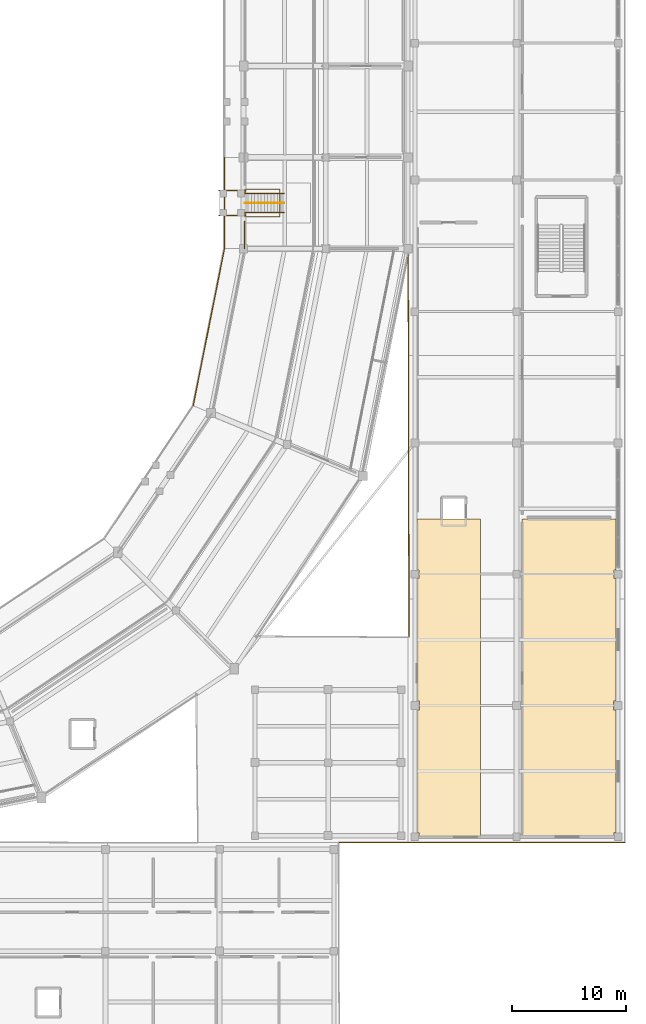
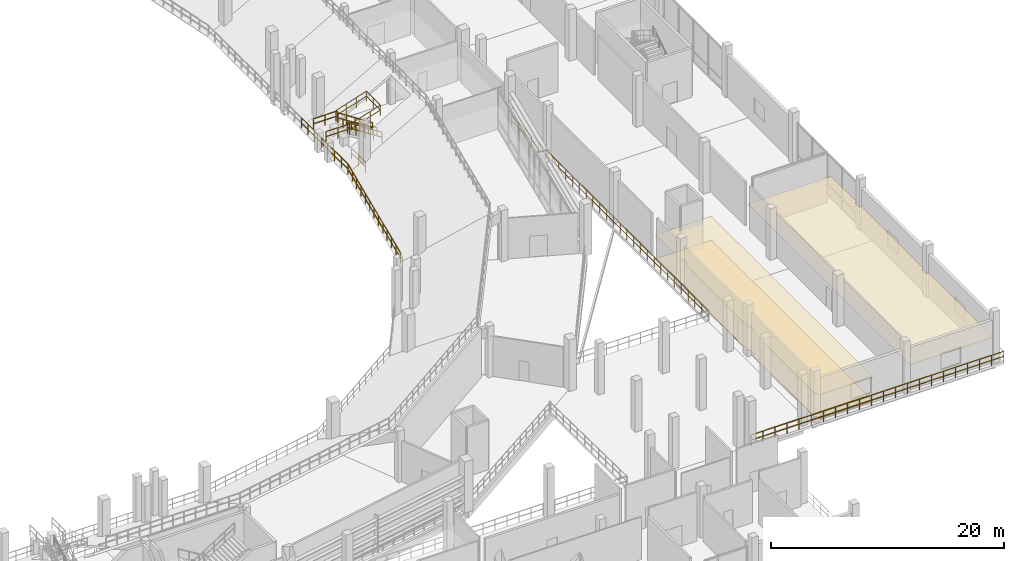
# One storey, part 114 of 127: 9 railings, 3 coverings.
"""IFC4 building model written with IfcOpenShell, lengths in metres."""

from ifc_helpers import new_model, si_unit, direction, frame, origin, origin_2d, place, context, subcontext, project, spatial, polyline, circle, outline, extrude, material, layer, layer_set, type_object, element, save


model = new_model("IFC4")

# Units and contexts
model_context = context("Model", 3, precision=1e-05, world=origin(), true_north=direction((0.0, 1.0)))
body_context = subcontext(model_context, "Body", "Model", "MODEL_VIEW")
ifc_project = project(units=[si_unit("LENGTHUNIT", "METRE"), si_unit("AREAUNIT", "SQUARE_METRE"), si_unit("VOLUMEUNIT", "CUBIC_METRE"), si_unit("PLANEANGLEUNIT", "RADIAN"), si_unit("MASSUNIT", "GRAM", prefix="KILO")], contexts=[model_context])

# Site, building, storey
site_placement = place(None, origin())
site = spatial("IfcSite", under=ifc_project, at=site_placement, CompositionType="ELEMENT")
building_placement = place(site_placement, origin())
building = spatial("IfcBuilding", under=site, at=building_placement, Name="Candeia Ridge Stadium", CompositionType="ELEMENT")
storey_placement = place(building_placement, frame((0.0, 0.0, 10.800048828125)))
storey = spatial("IfcBuildingStorey", under=building, at=storey_placement, Name="L02", CompositionType="ELEMENT", Elevation=10.800048828125)

# Coverings
ifc_material_1 = material(Name="Perforated Acoustic Gypsum", Category="gypsum")
ifc_layer_1 = layer(ifc_material_1, 0.034912109375, Name="Perforated Acoustic Gypsum", Category="gypsum")
ifc_layer_set_1 = layer_set([ifc_layer_1], Name="Perforated Acoustic Gypsum")
covering_type_1 = type_object("IfcCoveringType", Name="Perforated Gypsum Acoustic Ceiling 35", PredefinedType="CEILING", material=ifc_layer_set_1)
covering_1_placement = place(storey_placement, frame((0.0, 0.0, 2.510009765625)))
element("IfcCovering", 1, at=covering_1_placement, inside=storey, type_object=covering_type_1, Name="Acoustic ceiling Sports Science & Biomechanics Lab West Bay", PredefinedType="CEILING", context=body_context, shape_type="SweptSolid", body=[
    extrude(outline(polyline([(193.989990234375, 30.610107421875), (193.989990234375, 31.389892578125), (193.77001953125, 31.389892578125), (193.77001953125, 42.135009765625), (193.965087890625, 42.135009765625), (193.965087890625, 42.864990234375), (193.77001953125, 42.864990234375), (193.77001953125, 47.300048828125), (193.77001953125, 47.302978515625), (193.7705078125, 47.305908203125), (193.771240234375, 47.30859375), (193.772216796875, 47.3115234375), (193.7734375, 47.314208984375), (193.775146484375, 47.316650390625), (193.77685546875, 47.319091796875), (193.77880859375, 47.3212890625), (193.781005859375, 47.3232421875), (193.783203125, 47.324951171875), (193.785888671875, 47.326416015625), (193.78857421875, 47.32763671875), (193.791259765625, 47.32861328125), (193.794189453125, 47.329345703125), (193.797119140625, 47.329833984375), (193.800048828125, 47.330078125), (199.300048828125, 47.330078125), (199.302978515625, 47.329833984375), (199.305908203125, 47.329345703125), (199.30859375, 47.32861328125), (199.3115234375, 47.32763671875), (199.314208984375, 47.326416015625), (199.316650390625, 47.324951171875), (199.319091796875, 47.3232421875), (199.3212890625, 47.3212890625), (199.3232421875, 47.319091796875), (199.324951171875, 47.316650390625), (199.326416015625, 47.314208984375), (199.32763671875, 47.3115234375), (199.32861328125, 47.30859375), (199.329345703125, 47.305908203125), (199.329833984375, 47.302978515625), (199.330078125, 47.300048828125), (199.330078125, 19.5), (199.329833984375, 19.4970703125), (199.329345703125, 19.494140625), (199.32861328125, 19.4912109375), (199.32763671875, 19.488525390625), (199.326416015625, 19.48583984375), (199.324951171875, 19.4833984375), (199.3232421875, 19.48095703125), (199.3212890625, 19.478759765625), (199.319091796875, 19.476806640625), (199.316650390625, 19.47509765625), (199.314208984375, 19.473388671875), (199.3115234375, 19.472412109375), (199.30859375, 19.47119140625), (199.305908203125, 19.470703125), (199.302978515625, 19.47021484375), (199.300048828125, 19.469970703125), (193.965087890625, 19.469970703125), (193.965087890625, 19.864990234375), (193.77001953125, 19.864990234375), (193.77001953125, 30.610107421875), (193.989990234375, 30.610107421875)])), origin(), (0.0, 0.0, 1.0), 0.0400390625),
])
covering_2_placement = place(storey_placement, frame((0.0, 0.0, 2.510009765625)))
element("IfcCovering", 2, at=covering_2_placement, inside=storey, type_object=covering_type_1, Name="Acoustic ceiling Sports Science & Biomechanics Lab", PredefinedType="CEILING", context=body_context, shape_type="SweptSolid", body=[
    extrude(outline(polyline([(202.994140625, 19.470703125), (202.9912109375, 19.47119140625), (202.988525390625, 19.472412109375), (202.98583984375, 19.473388671875), (202.9833984375, 19.47509765625), (202.98095703125, 19.476806640625), (202.978759765625, 19.478759765625), (202.976806640625, 19.48095703125), (202.97509765625, 19.4833984375), (202.973388671875, 19.48583984375), (202.972412109375, 19.488525390625), (202.97119140625, 19.4912109375), (202.970703125, 19.494140625), (202.97021484375, 19.4970703125), (202.969970703125, 19.5), (202.969970703125, 47.300048828125), (202.97021484375, 47.302978515625), (202.970703125, 47.305908203125), (202.97119140625, 47.30859375), (202.972412109375, 47.3115234375), (202.973388671875, 47.314208984375), (202.97509765625, 47.316650390625), (202.976806640625, 47.319091796875), (202.978759765625, 47.3212890625), (202.98095703125, 47.3232421875), (202.9833984375, 47.324951171875), (202.98583984375, 47.326416015625), (202.988525390625, 47.32763671875), (202.9912109375, 47.32861328125), (202.994140625, 47.329345703125), (202.9970703125, 47.329833984375), (203.0, 47.330078125), (211.199951171875, 47.330078125), (211.202880859375, 47.329833984375), (211.205810546875, 47.329345703125), (211.208740234375, 47.32861328125), (211.21142578125, 47.32763671875), (211.214111328125, 47.326416015625), (211.216796875, 47.324951171875), (211.218994140625, 47.3232421875), (211.22119140625, 47.3212890625), (211.22314453125, 47.319091796875), (211.224853515625, 47.316650390625), (211.2265625, 47.314208984375), (211.227783203125, 47.3115234375), (211.228759765625, 47.30859375), (211.2294921875, 47.305908203125), (211.22998046875, 47.302978515625), (211.22998046875, 47.300048828125), (211.22998046875, 42.864990234375), (211.034912109375, 42.864990234375), (211.034912109375, 42.135009765625), (211.22998046875, 42.135009765625), (211.22998046875, 31.389892578125), (211.010009765625, 31.389892578125), (211.010009765625, 30.610107421875), (211.22998046875, 30.610107421875), (211.22998046875, 19.864990234375), (211.034912109375, 19.864990234375), (211.034912109375, 19.469970703125), (203.0, 19.469970703125), (202.9970703125, 19.47021484375), (202.994140625, 19.470703125)])), origin(), (0.0, 0.0, 1.0), 0.0400390625),
])

# Railings
ifc_material_2 = material(Name="Galvanized Powder-Coated Steel", Category="steel")
ifc_layer_2 = layer(ifc_material_2, 0.074951171875, Name="Galvanized Powder-Coated Steel", Category="steel")
ifc_layer_set_2 = layer_set([ifc_layer_2], Name="Galvanized Powder-Coated Steel")
railing_type_1 = type_object("IfcRailingType", Name="Spectator Bowl Front Guardrail 1120", PredefinedType="GUARDRAIL", material=ifc_layer_set_2)
railing_1_placement = place(storey_placement, frame((174.185791015625, 57.25390625, 0.39990234375)))
element("IfcRailing", 3, at=railing_1_placement, inside=storey, type_object=railing_type_1, Name="Stand T2 front safety guardrail bay 29", PredefinedType="GUARDRAIL", context=body_context, shape_type="SweptSolid", body=[
    extrude(circle(Radius=0.02392578125, at=origin_2d()), frame((0.0, 0.0, 1.09619140625), z_axis=(0.195080905976, 0.980787153323, 0.0), x_axis=(-0.980787153323, 0.195080905976, 0.0)), (0.0, 0.0, 1.0), 14.015380859375),
    extrude(circle(Radius=0.02392578125, at=origin_2d()), frame((0.0, 0.0, 0.56005859375), z_axis=(0.195080905976, 0.980787153323, 0.0), x_axis=(-0.980787153323, 0.195080905976, 0.0)), (0.0, 0.0, 1.0), 14.015380859375),
    extrude(circle(Radius=0.02099609375, at=origin_2d()), origin(), (0.0, 0.0, 1.0), 1.072021484375),
    extrude(circle(Radius=0.02099609375, at=origin_2d()), frame((0.227783203125, 1.1455078125, 0.0)), (0.0, 0.0, 1.0), 1.072021484375),
    extrude(circle(Radius=0.02099609375, at=origin_2d()), frame((0.45556640625, 2.291015625, 0.0)), (0.0, 0.0, 1.0), 1.072021484375),
    extrude(circle(Radius=0.02099609375, at=origin_2d()), frame((0.68359375, 3.4365234375, 0.0)), (0.0, 0.0, 1.0), 1.072021484375),
    extrude(circle(Radius=0.02099609375, at=origin_2d()), frame((0.911376953125, 4.58203125, 0.0)), (0.0, 0.0, 1.0), 1.072021484375),
    extrude(circle(Radius=0.02099609375, at=origin_2d()), frame((1.13916015625, 5.7275390625, 0.0)), (0.0, 0.0, 1.0), 1.072021484375),
    extrude(circle(Radius=0.02099609375, at=origin_2d()), frame((1.3671875, 6.873046875, 0.0)), (0.0, 0.0, 1.0), 1.072021484375),
    extrude(circle(Radius=0.02099609375, at=origin_2d()), frame((1.594970703125, 8.0185546875, 0.0)), (0.0, 0.0, 1.0), 1.072021484375),
    extrude(circle(Radius=0.02099609375, at=origin_2d()), frame((1.82275390625, 9.1640625, 0.0)), (0.0, 0.0, 1.0), 1.072021484375),
    extrude(circle(Radius=0.02099609375, at=origin_2d()), frame((2.050537109375, 10.3095703125, 0.0)), (0.0, 0.0, 1.0), 1.072021484375),
    extrude(circle(Radius=0.02099609375, at=origin_2d()), frame((2.2783203125, 11.455078125, 0.0)), (0.0, 0.0, 1.0), 1.072021484375),
    extrude(circle(Radius=0.02099609375, at=origin_2d()), frame((2.50634765625, 12.6005859375, 0.0)), (0.0, 0.0, 1.0), 1.072021484375),
    extrude(circle(Radius=0.02099609375, at=origin_2d()), frame((2.734130859375, 13.74609375, 0.0)), (0.0, 0.0, 1.0), 1.072021484375),
])
railing_2_placement = place(storey_placement, frame((176.919921875, 71.0, 0.39990234375)))
element("IfcRailing", 4, at=railing_2_placement, inside=storey, type_object=railing_type_1, Name="Stand T2 front safety guardrail bay 30", PredefinedType="GUARDRAIL", context=body_context, shape_type="SweptSolid", body=[
    extrude(circle(Radius=0.02392578125, at=origin_2d()), frame((0.0, 0.0, 1.09619140625), z_axis=(0.0, 1.0, 0.0), x_axis=(-1.0, 0.0, 0.0)), (0.0, 0.0, 1.0), 8.0),
    extrude(circle(Radius=0.02392578125, at=origin_2d()), frame((0.0, 0.0, 0.56005859375), z_axis=(0.0, 1.0, 0.0), x_axis=(-1.0, 0.0, 0.0)), (0.0, 0.0, 1.0), 8.0),
    extrude(circle(Radius=0.02099609375, at=origin_2d()), origin(), (0.0, 0.0, 1.0), 1.072021484375),
    extrude(circle(Radius=0.02099609375, at=origin_2d()), frame((0.0, 1.142822265625, 0.0)), (0.0, 0.0, 1.0), 1.072021484375),
    extrude(circle(Radius=0.02099609375, at=origin_2d()), frame((0.0, 2.28564453125, 0.0)), (0.0, 0.0, 1.0), 1.072021484375),
    extrude(circle(Radius=0.02099609375, at=origin_2d()), frame((0.0, 3.428466796875, 0.0)), (0.0, 0.0, 1.0), 1.072021484375),
    extrude(circle(Radius=0.02099609375, at=origin_2d()), frame((0.0, 4.571533203125, 0.0)), (0.0, 0.0, 1.0), 1.072021484375),
    extrude(circle(Radius=0.02099609375, at=origin_2d()), frame((0.0, 5.71435546875, 0.0)), (0.0, 0.0, 1.0), 1.072021484375),
    extrude(circle(Radius=0.02099609375, at=origin_2d()), frame((0.0, 6.857177734375, 0.0)), (0.0, 0.0, 1.0), 1.072021484375),
    extrude(circle(Radius=0.02099609375, at=origin_2d()), frame((0.0, 8.0, 0.0)), (0.0, 0.0, 1.0), 1.072021484375),
])
railing_3_placement = place(storey_placement, frame((212.0, 19.0, 0.0)))
element("IfcRailing", 5, at=railing_3_placement, inside=storey, type_object=railing_type_1, Name="Deck edge safety guardrail GR-DE-L02-0064", PredefinedType="GUARDRAIL", context=body_context, shape_type="SweptSolid", body=[
    extrude(circle(Radius=0.02392578125, at=origin_2d()), frame((0.0, 0.0, 1.09619140625), z_axis=(-1.0, 0.0, 0.0), x_axis=(0.0, -1.0, 0.0)), (0.0, 0.0, 1.0), 25.080078125),
    extrude(circle(Radius=0.02392578125, at=origin_2d()), frame((0.0, 0.0, 0.56005859375), z_axis=(-1.0, 0.0, 0.0), x_axis=(0.0, -1.0, 0.0)), (0.0, 0.0, 1.0), 25.080078125),
    extrude(circle(Radius=0.02099609375, at=origin_2d()), origin(), (0.0, 0.0, 1.0), 1.072021484375),
    extrude(circle(Radius=0.02099609375, at=origin_2d()), frame((-1.1943359375, 0.0, 0.0)), (0.0, 0.0, 1.0), 1.072021484375),
    extrude(circle(Radius=0.02099609375, at=origin_2d()), frame((-2.388671875, 0.0, 0.0)), (0.0, 0.0, 1.0), 1.072021484375),
    extrude(circle(Radius=0.02099609375, at=origin_2d()), frame((-3.582763671875, 0.0, 0.0)), (0.0, 0.0, 1.0), 1.072021484375),
    extrude(circle(Radius=0.02099609375, at=origin_2d()), frame((-4.777099609375, 0.0, 0.0)), (0.0, 0.0, 1.0), 1.072021484375),
    extrude(circle(Radius=0.02099609375, at=origin_2d()), frame((-5.971435546875, 0.0, 0.0)), (0.0, 0.0, 1.0), 1.072021484375),
    extrude(circle(Radius=0.02099609375, at=origin_2d()), frame((-7.165771484375, 0.0, 0.0)), (0.0, 0.0, 1.0), 1.072021484375),
    extrude(circle(Radius=0.02099609375, at=origin_2d()), frame((-8.360107421875, 0.0, 0.0)), (0.0, 0.0, 1.0), 1.072021484375),
    extrude(circle(Radius=0.02099609375, at=origin_2d()), frame((-9.55419921875, 0.0, 0.0)), (0.0, 0.0, 1.0), 1.072021484375),
    extrude(circle(Radius=0.02099609375, at=origin_2d()), frame((-10.74853515625, 0.0, 0.0)), (0.0, 0.0, 1.0), 1.072021484375),
    extrude(circle(Radius=0.02099609375, at=origin_2d()), frame((-11.94287109375, 0.0, 0.0)), (0.0, 0.0, 1.0), 1.072021484375),
    extrude(circle(Radius=0.02099609375, at=origin_2d()), frame((-13.13720703125, 0.0, 0.0)), (0.0, 0.0, 1.0), 1.072021484375),
    extrude(circle(Radius=0.02099609375, at=origin_2d()), frame((-14.33154296875, 0.0, 0.0)), (0.0, 0.0, 1.0), 1.072021484375),
    extrude(circle(Radius=0.02099609375, at=origin_2d()), frame((-15.52587890625, 0.0, 0.0)), (0.0, 0.0, 1.0), 1.072021484375),
    extrude(circle(Radius=0.02099609375, at=origin_2d()), frame((-16.719970703125, 0.0, 0.0)), (0.0, 0.0, 1.0), 1.072021484375),
    extrude(circle(Radius=0.02099609375, at=origin_2d()), frame((-17.914306640625, 0.0, 0.0)), (0.0, 0.0, 1.0), 1.072021484375),
    extrude(circle(Radius=0.02099609375, at=origin_2d()), frame((-19.108642578125, 0.0, 0.0)), (0.0, 0.0, 1.0), 1.072021484375),
    extrude(circle(Radius=0.02099609375, at=origin_2d()), frame((-20.302978515625, 0.0, 0.0)), (0.0, 0.0, 1.0), 1.072021484375),
    extrude(circle(Radius=0.02099609375, at=origin_2d()), frame((-21.497314453125, 0.0, 0.0)), (0.0, 0.0, 1.0), 1.072021484375),
    extrude(circle(Radius=0.02099609375, at=origin_2d()), frame((-22.69140625, 0.0, 0.0)), (0.0, 0.0, 1.0), 1.072021484375),
    extrude(circle(Radius=0.02099609375, at=origin_2d()), frame((-23.8857421875, 0.0, 0.0)), (0.0, 0.0, 1.0), 1.072021484375),
    extrude(circle(Radius=0.02099609375, at=origin_2d()), frame((-25.080078125, 0.0, 0.0)), (0.0, 0.0, 1.0), 1.072021484375),
])
railing_4_placement = place(storey_placement, frame((193.080078125, 37.0, 0.0)))
element("IfcRailing", 6, at=railing_4_placement, inside=storey, type_object=railing_type_1, Name="Deck edge safety guardrail GR-DE-L02-0078", PredefinedType="GUARDRAIL", context=body_context, shape_type="SweptSolid", body=[
    extrude(circle(Radius=0.02392578125, at=origin_2d()), frame((0.0, 0.0, 1.09619140625), z_axis=(-0.002140177014, 0.999997709819, 0.0), x_axis=(-0.999997709819, -0.002140177014, 0.0)), (0.0, 0.0, 1.0), 33.76611328125),
    extrude(circle(Radius=0.02392578125, at=origin_2d()), frame((0.0, 0.0, 0.56005859375), z_axis=(-0.002140177014, 0.999997709819, 0.0), x_axis=(-0.999997709819, -0.002140177014, 0.0)), (0.0, 0.0, 1.0), 33.76611328125),
    extrude(circle(Radius=0.02099609375, at=origin_2d()), origin(), (0.0, 0.0, 1.0), 1.072021484375),
    extrude(circle(Radius=0.02099609375, at=origin_2d()), frame((-0.00244140625, 1.164306640625, 0.0)), (0.0, 0.0, 1.0), 1.072021484375),
    extrude(circle(Radius=0.02099609375, at=origin_2d()), frame((-0.0048828125, 2.32861328125, 0.0)), (0.0, 0.0, 1.0), 1.072021484375),
    extrude(circle(Radius=0.02099609375, at=origin_2d()), frame((-0.007568359375, 3.4931640625, 0.0)), (0.0, 0.0, 1.0), 1.072021484375),
    extrude(circle(Radius=0.02099609375, at=origin_2d()), frame((-0.010009765625, 4.657470703125, 0.0)), (0.0, 0.0, 1.0), 1.072021484375),
    extrude(circle(Radius=0.02099609375, at=origin_2d()), frame((-0.012451171875, 5.82177734375, 0.0)), (0.0, 0.0, 1.0), 1.072021484375),
    extrude(circle(Radius=0.02099609375, at=origin_2d()), frame((-0.014892578125, 6.986083984375, 0.0)), (0.0, 0.0, 1.0), 1.072021484375),
    extrude(circle(Radius=0.02099609375, at=origin_2d()), frame((-0.017333984375, 8.150390625, 0.0)), (0.0, 0.0, 1.0), 1.072021484375),
    extrude(circle(Radius=0.02099609375, at=origin_2d()), frame((-0.02001953125, 9.314697265625, 0.0)), (0.0, 0.0, 1.0), 1.072021484375),
    extrude(circle(Radius=0.02099609375, at=origin_2d()), frame((-0.0224609375, 10.479248046875, 0.0)), (0.0, 0.0, 1.0), 1.072021484375),
    extrude(circle(Radius=0.02099609375, at=origin_2d()), frame((-0.02490234375, 11.6435546875, 0.0)), (0.0, 0.0, 1.0), 1.072021484375),
    extrude(circle(Radius=0.02099609375, at=origin_2d()), frame((-0.02734375, 12.807861328125, 0.0)), (0.0, 0.0, 1.0), 1.072021484375),
    extrude(circle(Radius=0.02099609375, at=origin_2d()), frame((-0.02978515625, 13.97216796875, 0.0)), (0.0, 0.0, 1.0), 1.072021484375),
    extrude(circle(Radius=0.02099609375, at=origin_2d()), frame((-0.032470703125, 15.136474609375, 0.0)), (0.0, 0.0, 1.0), 1.072021484375),
    extrude(circle(Radius=0.02099609375, at=origin_2d()), frame((-0.034912109375, 16.30078125, 0.0)), (0.0, 0.0, 1.0), 1.072021484375),
    extrude(circle(Radius=0.02099609375, at=origin_2d()), frame((-0.037353515625, 17.46533203125, 0.0)), (0.0, 0.0, 1.0), 1.072021484375),
    extrude(circle(Radius=0.02099609375, at=origin_2d()), frame((-0.039794921875, 18.629638671875, 0.0)), (0.0, 0.0, 1.0), 1.072021484375),
    extrude(circle(Radius=0.02099609375, at=origin_2d()), frame((-0.04248046875, 19.7939453125, 0.0)), (0.0, 0.0, 1.0), 1.072021484375),
    extrude(circle(Radius=0.02099609375, at=origin_2d()), frame((-0.044921875, 20.958251953125, 0.0)), (0.0, 0.0, 1.0), 1.072021484375),
    extrude(circle(Radius=0.02099609375, at=origin_2d()), frame((-0.04736328125, 22.12255859375, 0.0)), (0.0, 0.0, 1.0), 1.072021484375),
    extrude(circle(Radius=0.02099609375, at=origin_2d()), frame((-0.0498046875, 23.286865234375, 0.0)), (0.0, 0.0, 1.0), 1.072021484375),
    extrude(circle(Radius=0.02099609375, at=origin_2d()), frame((-0.05224609375, 24.451416015625, 0.0)), (0.0, 0.0, 1.0), 1.072021484375),
    extrude(circle(Radius=0.02099609375, at=origin_2d()), frame((-0.054931640625, 25.61572265625, 0.0)), (0.0, 0.0, 1.0), 1.072021484375),
    extrude(circle(Radius=0.02099609375, at=origin_2d()), frame((-0.057373046875, 26.780029296875, 0.0)), (0.0, 0.0, 1.0), 1.072021484375),
    extrude(circle(Radius=0.02099609375, at=origin_2d()), frame((-0.059814453125, 27.9443359375, 0.0)), (0.0, 0.0, 1.0), 1.072021484375),
    extrude(circle(Radius=0.02099609375, at=origin_2d()), frame((-0.062255859375, 29.108642578125, 0.0)), (0.0, 0.0, 1.0), 1.072021484375),
    extrude(circle(Radius=0.02099609375, at=origin_2d()), frame((-0.064697265625, 30.27294921875, 0.0)), (0.0, 0.0, 1.0), 1.072021484375),
    extrude(circle(Radius=0.02099609375, at=origin_2d()), frame((-0.0673828125, 31.4375, 0.0)), (0.0, 0.0, 1.0), 1.072021484375),
    extrude(circle(Radius=0.02099609375, at=origin_2d()), frame((-0.06982421875, 32.601806640625, 0.0)), (0.0, 0.0, 1.0), 1.072021484375),
    extrude(circle(Radius=0.02099609375, at=origin_2d()), frame((-0.072265625, 33.76611328125, 0.0)), (0.0, 0.0, 1.0), 1.072021484375),
])
railing_5_placement = place(storey_placement, frame((178.679931640625, 71.0, 0.0)))
element("IfcRailing", 7, at=railing_5_placement, inside=storey, type_object=railing_type_1, Name="Deck edge safety guardrail GR-DE-L02-0092", PredefinedType="GUARDRAIL", context=body_context, shape_type="SweptSolid", body=[
    extrude(circle(Radius=0.02392578125, at=origin_2d()), frame((0.0, 0.0, 1.09619140625), z_axis=(0.0, 1.0, 0.0), x_axis=(-1.0, 0.0, 0.0)), (0.0, 0.0, 1.0), 2.397705078125),
    extrude(circle(Radius=0.02392578125, at=origin_2d()), frame((0.0, 0.0, 0.56005859375), z_axis=(0.0, 1.0, 0.0), x_axis=(-1.0, 0.0, 0.0)), (0.0, 0.0, 1.0), 2.397705078125),
    extrude(circle(Radius=0.02099609375, at=origin_2d()), origin(), (0.0, 0.0, 1.0), 1.072021484375),
    extrude(circle(Radius=0.02099609375, at=origin_2d()), frame((0.0, 1.19873046875, 0.0)), (0.0, 0.0, 1.0), 1.072021484375),
    extrude(circle(Radius=0.02099609375, at=origin_2d()), frame((0.0, 2.397705078125, 0.0)), (0.0, 0.0, 1.0), 1.072021484375),
])

# Covering
ifc_material_3 = material(Name="Vulcanized EPDM Sports Flooring", Category="wood")
ifc_layer_3 = layer(ifc_material_3, 0.02001953125, Name="Vulcanized EPDM Sports Flooring", Category="wood")
ifc_layer_set_3 = layer_set([ifc_layer_3], Name="Vulcanized EPDM Sports Flooring")
covering_type_2 = type_object("IfcCoveringType", Name="Sports Rubber Athlete Flooring 20", PredefinedType="FLOORING", material=ifc_layer_set_3)
covering_3_placement = place(storey_placement, origin())
element("IfcCovering", 8, at=covering_3_placement, inside=storey, type_object=covering_type_2, Name="Interior finish flooring Sports Science & Biomechanics Lab West Bay", PredefinedType="FLOORING", context=body_context, shape_type="SweptSolid", body=[
    extrude(outline(polyline([(193.989990234375, 30.610107421875), (193.989990234375, 31.389892578125), (193.77001953125, 31.389892578125), (193.77001953125, 42.135009765625), (193.965087890625, 42.135009765625), (193.965087890625, 42.864990234375), (193.77001953125, 42.864990234375), (193.77001953125, 47.300048828125), (193.77001953125, 47.302978515625), (193.7705078125, 47.305908203125), (193.771240234375, 47.30859375), (193.772216796875, 47.3115234375), (193.7734375, 47.314208984375), (193.775146484375, 47.316650390625), (193.77685546875, 47.319091796875), (193.77880859375, 47.3212890625), (193.781005859375, 47.3232421875), (193.783203125, 47.324951171875), (193.785888671875, 47.326416015625), (193.78857421875, 47.32763671875), (193.791259765625, 47.32861328125), (193.794189453125, 47.329345703125), (193.797119140625, 47.329833984375), (193.800048828125, 47.330078125), (199.300048828125, 47.330078125), (199.302978515625, 47.329833984375), (199.305908203125, 47.329345703125), (199.30859375, 47.32861328125), (199.3115234375, 47.32763671875), (199.314208984375, 47.326416015625), (199.316650390625, 47.324951171875), (199.319091796875, 47.3232421875), (199.3212890625, 47.3212890625), (199.3232421875, 47.319091796875), (199.324951171875, 47.316650390625), (199.326416015625, 47.314208984375), (199.32763671875, 47.3115234375), (199.32861328125, 47.30859375), (199.329345703125, 47.305908203125), (199.329833984375, 47.302978515625), (199.330078125, 47.300048828125), (199.330078125, 19.5), (199.329833984375, 19.4970703125), (199.329345703125, 19.494140625), (199.32861328125, 19.4912109375), (199.32763671875, 19.488525390625), (199.326416015625, 19.48583984375), (199.324951171875, 19.4833984375), (199.3232421875, 19.48095703125), (199.3212890625, 19.478759765625), (199.319091796875, 19.476806640625), (199.316650390625, 19.47509765625), (199.314208984375, 19.473388671875), (199.3115234375, 19.472412109375), (199.30859375, 19.47119140625), (199.305908203125, 19.470703125), (199.302978515625, 19.47021484375), (199.300048828125, 19.469970703125), (193.965087890625, 19.469970703125), (193.965087890625, 19.864990234375), (193.77001953125, 19.864990234375), (193.77001953125, 30.610107421875), (193.989990234375, 30.610107421875)])), origin(), (0.0, 0.0, 1.0), 0.02001953125),
])

# Railings
ifc_material_4 = material(Name="Brushed Stainless Steel", Category="steel")
ifc_layer_4 = layer(ifc_material_4, 0.048095703125, Name="Brushed Stainless Steel", Category="steel")
ifc_layer_set_4 = layer_set([ifc_layer_4], Name="Brushed Stainless Steel")
railing_type_2 = type_object("IfcRailingType", Name="Stair Wall & Flight Handrail 900", PredefinedType="HANDRAIL", material=ifc_layer_set_4)
railing_6_placement = place(storey_placement, frame((182.139892578125, 75.0, 0.17236328125)))
element("IfcRailing", 9, at=railing_6_placement, inside=storey, type_object=railing_type_2, Name="Vomitory stair handrail VS24", PredefinedType="HANDRAIL", context=body_context, shape_type="SweptSolid", body=[
    extrude(circle(Radius=0.02392578125, at=origin_2d()), frame((0.0, 0.0, 0.8759765625), z_axis=(-0.855757773658, 0.0, 0.517376683688), x_axis=(0.0, -1.0, 0.0)), (0.0, 0.0, 1.0), 3.996337890625),
    extrude(circle(Radius=0.02099609375, at=origin_2d()), origin(), (0.0, 0.0, 1.0), 0.851806640625),
    extrude(circle(Radius=0.02099609375, at=origin_2d()), frame((-0.85498046875, 0.0, 0.516845703125)), (0.0, 0.0, 1.0), 0.851806640625),
    extrude(circle(Radius=0.02099609375, at=origin_2d()), frame((-1.7099609375, 0.0, 1.03369140625)), (0.0, 0.0, 1.0), 0.851806640625),
    extrude(circle(Radius=0.02099609375, at=origin_2d()), frame((-2.56494140625, 0.0, 1.55078125)), (0.0, 0.0, 1.0), 0.851806640625),
    extrude(circle(Radius=0.02099609375, at=origin_2d()), frame((-3.419921875, 0.0, 2.067626953125)), (0.0, 0.0, 1.0), 0.851806640625),
])
ifc_layer_5 = layer(ifc_material_2, 0.070068359375, Name="Galvanized Powder-Coated Steel", Category="steel")
ifc_layer_set_5 = layer_set([ifc_layer_5], Name="Galvanized Powder-Coated Steel")
railing_type_3 = type_object("IfcRailingType", Name="Vomitory Portal Guardrail 1100", PredefinedType="GUARDRAIL", material=ifc_layer_set_5)
railing_7_placement = place(storey_placement, frame((178.719970703125, 73.800048828125, 2.239990234375)))
element("IfcRailing", 10, at=railing_7_placement, inside=storey, type_object=railing_type_3, Name="Vomitory portal guardrail VS24", PredefinedType="GUARDRAIL", context=body_context, shape_type="SweptSolid", body=[
    extrude(circle(Radius=0.02392578125, at=origin_2d()), frame((0.0, 0.0, 1.076171875), z_axis=(0.95168124109, 0.0, 0.307087634653), x_axis=(0.0, 1.0, 0.0)), (0.0, 0.0, 1.0), 3.1943359375),
    extrude(circle(Radius=0.02392578125, at=origin_2d()), frame((0.0, 0.0, 0.550048828125), z_axis=(0.95168124109, 0.0, 0.307087634653), x_axis=(0.0, 1.0, 0.0)), (0.0, 0.0, 1.0), 3.1943359375),
    extrude(circle(Radius=0.02392578125, at=origin_2d()), frame((3.0400390625, 0.0, 2.05712890625), z_axis=(0.0, 1.0, 0.0), x_axis=(-1.0, 0.0, 0.0)), (0.0, 0.0, 1.0), 2.39990234375),
    extrude(circle(Radius=0.02392578125, at=origin_2d()), frame((3.0400390625, 0.0, 1.531005859375), z_axis=(0.0, 1.0, 0.0), x_axis=(-1.0, 0.0, 0.0)), (0.0, 0.0, 1.0), 2.39990234375),
    extrude(circle(Radius=0.02392578125, at=origin_2d()), frame((3.0400390625, 2.39990234375, 2.05712890625), z_axis=(-0.95168124109, 0.0, -0.307087634653), x_axis=(0.0, -1.0, 0.0)), (0.0, 0.0, 1.0), 3.1943359375),
    extrude(circle(Radius=0.02392578125, at=origin_2d()), frame((3.0400390625, 2.39990234375, 1.531005859375), z_axis=(-0.95168124109, 0.0, -0.307087634653), x_axis=(0.0, -1.0, 0.0)), (0.0, 0.0, 1.0), 3.1943359375),
    extrude(circle(Radius=0.02099609375, at=origin_2d()), origin(), (0.0, 0.0, 1.0), 1.052001953125),
    extrude(circle(Radius=0.02099609375, at=origin_2d()), frame((1.013427734375, 0.0, 0.326904296875)), (0.0, 0.0, 1.0), 1.052001953125),
    extrude(circle(Radius=0.02099609375, at=origin_2d()), frame((2.026611328125, 0.0, 0.654052734375)), (0.0, 0.0, 1.0), 1.052001953125),
    extrude(circle(Radius=0.02099609375, at=origin_2d()), frame((3.0400390625, 0.0, 0.98095703125)), (0.0, 0.0, 1.0), 1.052001953125),
    extrude(circle(Radius=0.02099609375, at=origin_2d()), frame((3.0400390625, 1.199951171875, 0.98095703125)), (0.0, 0.0, 1.0), 1.052001953125),
    extrude(circle(Radius=0.02099609375, at=origin_2d()), frame((3.0400390625, 2.39990234375, 0.98095703125)), (0.0, 0.0, 1.0), 1.052001953125),
    extrude(circle(Radius=0.02099609375, at=origin_2d()), frame((2.026611328125, 2.39990234375, 0.654052734375)), (0.0, 0.0, 1.0), 1.052001953125),
    extrude(circle(Radius=0.02099609375, at=origin_2d()), frame((1.013427734375, 2.39990234375, 0.326904296875)), (0.0, 0.0, 1.0), 1.052001953125),
    extrude(circle(Radius=0.02099609375, at=origin_2d()), frame((0.0, 2.39990234375, 0.0)), (0.0, 0.0, 1.0), 1.052001953125),
])
railing_8_placement = place(storey_placement, frame((182.139892578125, 74.179931640625, 0.0)))
element("IfcRailing", 11, at=railing_8_placement, inside=storey, type_object=railing_type_3, Name="Vomitory stair & landing side guardrail VS24-L", PredefinedType="GUARDRAIL", context=body_context, shape_type="SweptSolid", body=[
    extrude(circle(Radius=0.02392578125, at=origin_2d()), frame((0.0, 0.0, 1.076171875), z_axis=(-0.836533807629, 0.0, 0.547915311607), x_axis=(0.0, -1.0, 0.0)), (0.0, 0.0, 1.0), 4.088134765625),
    extrude(circle(Radius=0.02392578125, at=origin_2d()), frame((0.0, 0.0, 0.550048828125), z_axis=(-0.836533807629, 0.0, 0.547915311607), x_axis=(0.0, -1.0, 0.0)), (0.0, 0.0, 1.0), 4.088134765625),
    extrude(circle(Radius=0.02392578125, at=origin_2d()), frame((-3.419921875, 0.0, 3.31591796875), z_axis=(0.141542183877, -0.989932225045, 0.0), x_axis=(0.989932225045, 0.141542183877, 0.0)), (0.0, 0.0, 1.0), 0.282958984375),
    extrude(circle(Radius=0.02392578125, at=origin_2d()), frame((-3.419921875, 0.0, 2.7900390625), z_axis=(0.141542183877, -0.989932225045, 0.0), x_axis=(0.989932225045, 0.141542183877, 0.0)), (0.0, 0.0, 1.0), 0.282958984375),
    extrude(circle(Radius=0.02392578125, at=origin_2d()), frame((-3.3798828125, -0.280029296875, 3.31591796875), z_axis=(-1.0, 0.0, 0.0), x_axis=(0.0, -1.0, 0.0)), (0.0, 0.0, 1.0), 2.320068359375),
    extrude(circle(Radius=0.02392578125, at=origin_2d()), frame((-3.3798828125, -0.280029296875, 2.7900390625), z_axis=(-1.0, 0.0, 0.0), x_axis=(0.0, -1.0, 0.0)), (0.0, 0.0, 1.0), 2.320068359375),
    extrude(circle(Radius=0.02099609375, at=origin_2d()), origin(), (0.0, 0.0, 1.0), 1.052001953125),
    extrude(circle(Radius=0.02099609375, at=origin_2d()), frame((-0.85498046875, 0.0, 0.56005859375)), (0.0, 0.0, 1.0), 1.052001953125),
    extrude(circle(Radius=0.02099609375, at=origin_2d()), frame((-1.7099609375, 0.0, 1.1201171875)), (0.0, 0.0, 1.0), 1.052001953125),
    extrude(circle(Radius=0.02099609375, at=origin_2d()), frame((-2.56494140625, 0.0, 1.679931640625)), (0.0, 0.0, 1.0), 1.052001953125),
    extrude(circle(Radius=0.02099609375, at=origin_2d()), frame((-3.419921875, 0.0, 2.239990234375)), (0.0, 0.0, 1.0), 1.052001953125),
    extrude(circle(Radius=0.02099609375, at=origin_2d()), frame((-3.3798828125, -0.280029296875, 2.239990234375)), (0.0, 0.0, 1.0), 1.052001953125),
    extrude(circle(Radius=0.02099609375, at=origin_2d()), frame((-4.5400390625, -0.280029296875, 2.239990234375)), (0.0, 0.0, 1.0), 1.052001953125),
    extrude(circle(Radius=0.02099609375, at=origin_2d()), frame((-5.699951171875, -0.280029296875, 2.239990234375)), (0.0, 0.0, 1.0), 1.052001953125),
])
railing_9_placement = place(storey_placement, frame((182.139892578125, 75.820068359375, 0.0)))
element("IfcRailing", 12, at=railing_9_placement, inside=storey, type_object=railing_type_3, Name="Vomitory stair & landing side guardrail VS24-R", PredefinedType="GUARDRAIL", context=body_context, shape_type="SweptSolid", body=[
    extrude(circle(Radius=0.02392578125, at=origin_2d()), frame((0.0, 0.0, 1.076171875), z_axis=(-0.836533807629, 0.0, 0.547915311607), x_axis=(0.0, -1.0, 0.0)), (0.0, 0.0, 1.0), 4.088134765625),
    extrude(circle(Radius=0.02392578125, at=origin_2d()), frame((0.0, 0.0, 0.550048828125), z_axis=(-0.836533807629, 0.0, 0.547915311607), x_axis=(0.0, -1.0, 0.0)), (0.0, 0.0, 1.0), 4.088134765625),
    extrude(circle(Radius=0.02392578125, at=origin_2d()), frame((-3.419921875, 0.0, 3.31591796875), z_axis=(0.141542183877, 0.989932225045, 0.0), x_axis=(-0.989932225045, 0.141542183877, 0.0)), (0.0, 0.0, 1.0), 0.282958984375),
    extrude(circle(Radius=0.02392578125, at=origin_2d()), frame((-3.419921875, 0.0, 2.7900390625), z_axis=(0.141542183877, 0.989932225045, 0.0), x_axis=(-0.989932225045, 0.141542183877, 0.0)), (0.0, 0.0, 1.0), 0.282958984375),
    extrude(circle(Radius=0.02392578125, at=origin_2d()), frame((-3.3798828125, 0.280029296875, 3.31591796875), z_axis=(-1.0, 0.0, 0.0), x_axis=(0.0, -1.0, 0.0)), (0.0, 0.0, 1.0), 2.320068359375),
    extrude(circle(Radius=0.02392578125, at=origin_2d()), frame((-3.3798828125, 0.280029296875, 2.7900390625), z_axis=(-1.0, 0.0, 0.0), x_axis=(0.0, -1.0, 0.0)), (0.0, 0.0, 1.0), 2.320068359375),
    extrude(circle(Radius=0.02099609375, at=origin_2d()), origin(), (0.0, 0.0, 1.0), 1.052001953125),
    extrude(circle(Radius=0.02099609375, at=origin_2d()), frame((-0.85498046875, 0.0, 0.56005859375)), (0.0, 0.0, 1.0), 1.052001953125),
    extrude(circle(Radius=0.02099609375, at=origin_2d()), frame((-1.7099609375, 0.0, 1.1201171875)), (0.0, 0.0, 1.0), 1.052001953125),
    extrude(circle(Radius=0.02099609375, at=origin_2d()), frame((-2.56494140625, 0.0, 1.679931640625)), (0.0, 0.0, 1.0), 1.052001953125),
    extrude(circle(Radius=0.02099609375, at=origin_2d()), frame((-3.419921875, 0.0, 2.239990234375)), (0.0, 0.0, 1.0), 1.052001953125),
    extrude(circle(Radius=0.02099609375, at=origin_2d()), frame((-3.3798828125, 0.280029296875, 2.239990234375)), (0.0, 0.0, 1.0), 1.052001953125),
    extrude(circle(Radius=0.02099609375, at=origin_2d()), frame((-4.5400390625, 0.280029296875, 2.239990234375)), (0.0, 0.0, 1.0), 1.052001953125),
    extrude(circle(Radius=0.02099609375, at=origin_2d()), frame((-5.699951171875, 0.280029296875, 2.239990234375)), (0.0, 0.0, 1.0), 1.052001953125),
])

save(model, "model.ifc")
